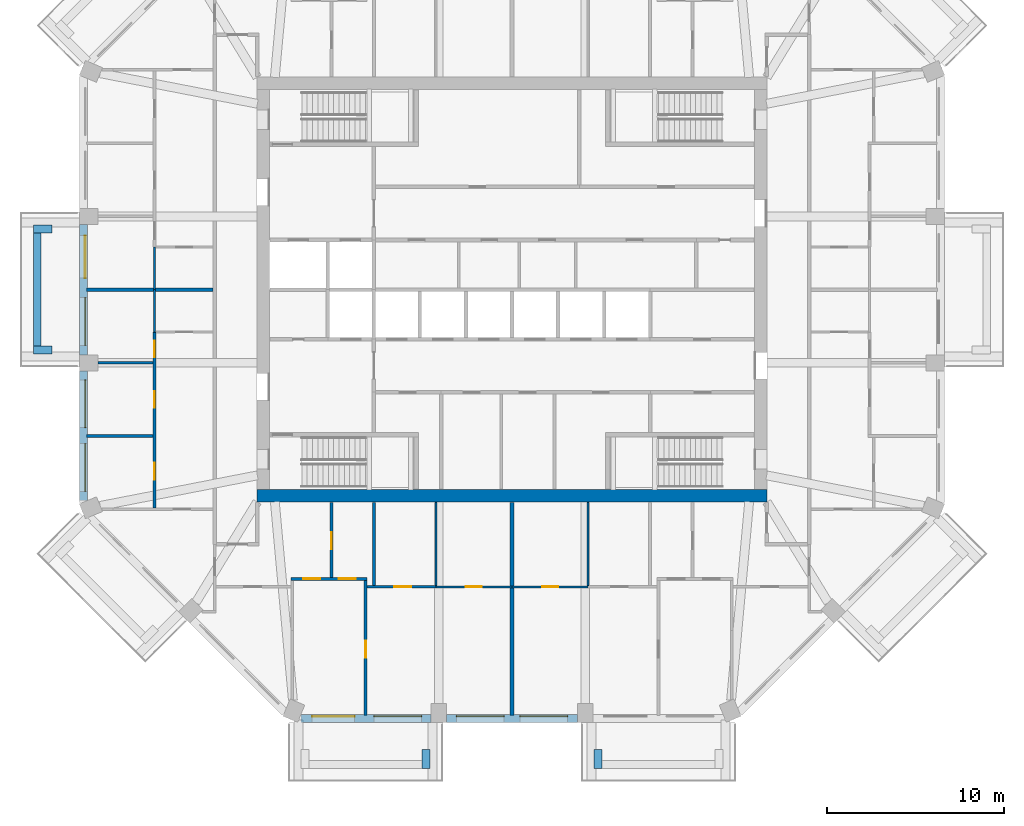
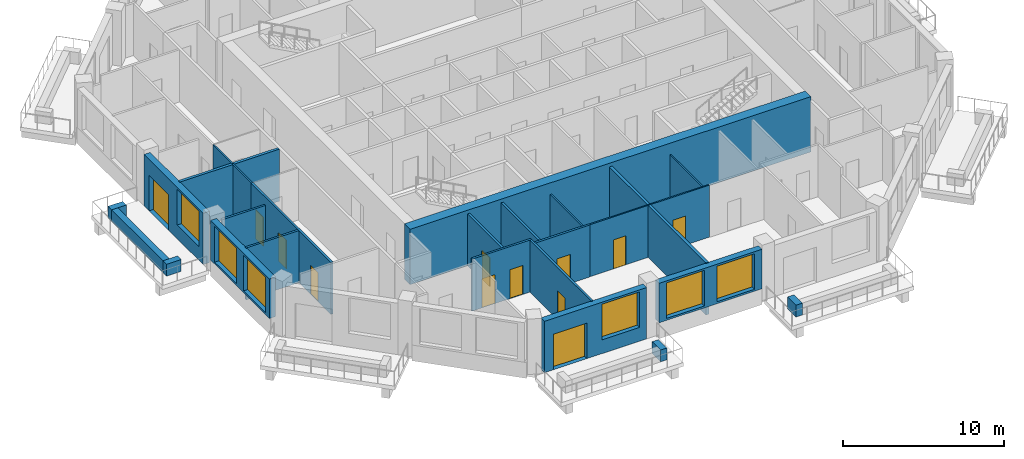
# One storey, part 3 of 12: 26 walls, 12 doors, 6 windows, 18 openings.
"""IFC4 building model written with IfcOpenShell, lengths in metres."""

import ifcopenshell
import ifcopenshell.guid

model = None  # the IFC model being written
_history = None  # IfcOwnerHistory: only IFC2X3 demands one
_inside = {}  # id of a spatial element -> (the spatial element, [elements in it])
_under = {}  # id of a project, library or spatial element -> (it, [spatial elements below it])
_declared = {}  # id of a project -> (the project, [libraries it declares])
_typed = {}  # id of a type object -> (the type object, [elements of that type])
_made_of = {}  # id of a material, layer set ... -> (it, [elements and type objects made of it])


def new_model(schema):
    """Start an empty IFC model of exactly this schema.

    Asked for "IFC4X3", IfcOpenShell would pick the latest addendum, in which some entities
    have other attributes; the version numbers below select the first issue.
    IFC2X3 requires an IfcOwnerHistory on every rooted entity: one is made here for all.
    """
    global model, _history
    if schema == "IFC4X3":
        model = ifcopenshell.file(schema_version=(4, 3, 0, 0))
    else:
        model = ifcopenshell.file(schema=schema)
    _inside.clear()
    _under.clear()
    _declared.clear()
    _typed.clear()
    _made_of.clear()
    _history = None
    if model.schema == "IFC2X3":
        org = make("IfcOrganization", Name="unknown")
        user = make(
            "IfcPersonAndOrganization",
            ThePerson=make("IfcPerson", FamilyName="unknown"),
            TheOrganization=org,
        )
        app = make(
            "IfcApplication",
            ApplicationDeveloper=org,
            Version="unknown",
            ApplicationFullName="unknown",
            ApplicationIdentifier="unknown",
        )
        _history = make(
            "IfcOwnerHistory",
            OwningUser=user,
            OwningApplication=app,
            ChangeAction="ADDED",
            CreationDate=0,
        )
    return model


def make(cls, **values):
    """One entity of the class cls with the attributes given. An attribute that is None is left unset."""
    return model.create_entity(
        cls, **{name: value for name, value in values.items() if value is not None}
    )


def rooted(cls, **values):
    """An entity with a GlobalId (a new one), such as an element, a storey or a relation."""
    return make(cls, GlobalId=ifcopenshell.guid.new(), OwnerHistory=_history, **values)


def si_unit(unit_type, name, prefix=None):
    """IfcSIUnit, for example si_unit("LENGTHUNIT", "METRE", prefix="MILLI")."""
    return make("IfcSIUnit", UnitType=unit_type, Prefix=prefix, Name=name)


def assignment(units):
    """IfcUnitAssignment: the units of a project."""
    return None if units is None else make("IfcUnitAssignment", Units=units)


def point(xyz):
    """IfcCartesianPoint."""
    return None if xyz is None else make("IfcCartesianPoint", Coordinates=xyz)


def direction(xyz):
    """IfcDirection."""
    return None if xyz is None else make("IfcDirection", DirectionRatios=xyz)


def frame(location, z_axis=None, x_axis=None):
    """IfcAxis2Placement3D, a coordinate frame: its origin and axes. An axis left out is left unset."""
    return make(
        "IfcAxis2Placement3D",
        Location=point(location),
        Axis=direction(z_axis),
        RefDirection=direction(x_axis),
    )


def frame_2d(location, x_axis=None):
    """IfcAxis2Placement2D, a coordinate frame in the plane: its origin and x axis."""
    return make(
        "IfcAxis2Placement2D", Location=point(location), RefDirection=direction(x_axis)
    )


def origin():
    """The frame at (0, 0, 0) with its axes left unset."""
    return frame((0.0, 0.0, 0.0))


def place(relative_to, where):
    """IfcLocalPlacement: puts the frame where relative to a parent placement (None: the world)."""
    return make(
        "IfcLocalPlacement", PlacementRelTo=relative_to, RelativePlacement=where
    )


def context(
    kind, dimensions, precision=None, world=None, true_north=None, identifier=None
):
    """IfcGeometricRepresentationContext, for example the 3D "Model" context."""
    return make(
        "IfcGeometricRepresentationContext",
        ContextIdentifier=identifier,
        ContextType=kind,
        CoordinateSpaceDimension=dimensions,
        Precision=precision,
        WorldCoordinateSystem=world,
        TrueNorth=true_north,
    )


def subcontext(parent, identifier, kind, view, scale=None):
    """IfcGeometricRepresentationSubContext, for example "Body" below "Model"."""
    return make(
        "IfcGeometricRepresentationSubContext",
        ContextIdentifier=identifier,
        ContextType=kind,
        ParentContext=parent,
        TargetScale=scale,
        TargetView=view,
    )


def project(units=None, contexts=None):
    """IfcProject with its units and contexts."""
    return rooted(
        "IfcProject",
        Name="project",
        RepresentationContexts=contexts,
        UnitsInContext=assignment(units),
    )


def spatial(cls, under=None, at=None, **own):
    """A site, building, storey or space (cls), placed at a placement, below another one or the project."""
    s = rooted(cls, ObjectPlacement=at, **own)
    if under is not None:
        _under.setdefault(under.id(), (under, []))[1].append(s)
    return s


def profile(cls, at=None, kind="AREA", **sizes):
    """A parametric profile (cls). Its sizes go by their IFC names, for example OverallWidth=200.0."""
    return make(cls, ProfileType=kind, Position=at, **sizes)


def rectangle(**sizes):
    """IfcRectangleProfileDef."""
    return profile("IfcRectangleProfileDef", **sizes)


def extrude(swept, where, along, depth):
    """IfcExtrudedAreaSolid: the profile swept, set in the frame where, extruded along a direction by depth."""
    return make(
        "IfcExtrudedAreaSolid",
        SweptArea=swept,
        Position=where,
        ExtrudedDirection=direction(along),
        Depth=depth,
    )


def shape(context_of_items, identifier, shape_type, items):
    """IfcShapeRepresentation: the items that make up one representation, for example the "Body"."""
    return make(
        "IfcShapeRepresentation",
        ContextOfItems=context_of_items,
        RepresentationIdentifier=identifier,
        RepresentationType=shape_type,
        Items=items,
    )


def material(Name=None, Category=None):
    """IfcMaterial."""
    return make("IfcMaterial", Name=Name, Category=Category)


def layer(
    of_material, thickness, ventilated=None, Name=None, Category=None, Priority=None
):
    """IfcMaterialLayer: one layer of a wall or slab, of a material (None: an air gap)."""
    return make(
        "IfcMaterialLayer",
        Material=of_material,
        LayerThickness=thickness,
        IsVentilated=ventilated,
        Name=Name,
        Category=Category,
        Priority=Priority,
    )


def layer_set(layers, Name=None):
    """IfcMaterialLayerSet."""
    return make("IfcMaterialLayerSet", MaterialLayers=layers, LayerSetName=Name)


def made_of(thing, what):
    """Note that an element or type object is made of a material, layer set ...; save() writes the relation."""
    if what is not None:
        _made_of.setdefault(what.id(), (what, []))[1].append(thing)
    return thing


def type_object(cls, material=None, **own):
    """A type object (cls), such as IfcWallType, which elements share."""
    return made_of(rooted(cls, **own), material)


def element(
    cls,
    number,
    at=None,
    inside=None,
    cuts=None,
    type_object=None,
    material=None,
    context=None,
    identifier="Body",
    shape_type=None,
    held_by="IfcProductDefinitionShape",
    body=None,
    shapes=None,
    **own,
):
    """One element of the class cls, such as IfcWall. Its Tag is "e" and its number.

    at: its placement. inside: the storey or other place that contains it. cuts: it is an
    opening in that element (IfcRelVoidsElement). A single representation is given by context,
    identifier, shape_type and body (its items); several are given by shapes. held_by: the class
    of the entity that holds the representations. save() writes the other relations.
    """
    e = rooted(cls, Tag="e%d" % number, ObjectPlacement=at, **own)
    if body is not None:
        shapes = [shape(context, identifier, shape_type, body)]
    if shapes is not None:
        e.Representation = make(held_by, Representations=shapes)
    if inside is not None:
        _inside.setdefault(inside.id(), (inside, []))[1].append(e)
    if cuts is not None:
        rooted(
            "IfcRelVoidsElement", RelatingBuildingElement=cuts, RelatedOpeningElement=e
        )
    if type_object is not None:
        _typed.setdefault(type_object.id(), (type_object, []))[1].append(e)
    return made_of(e, material)


def fill(opening, filler):
    """IfcRelFillsElement: the door or window that sits in an opening."""
    return rooted(
        "IfcRelFillsElement",
        RelatingOpeningElement=opening,
        RelatedBuildingElement=filler,
    )


def aggregate(whole, parts):
    """IfcRelAggregates: a whole, such as a stair, and the parts it consists of."""
    return rooted("IfcRelAggregates", RelatingObject=whole, RelatedObjects=parts)


def save(model, path):
    """Write the relations noted so far, then the file.

    IfcRelAggregates (storeys below a building ...), IfcRelContainedInSpatialStructure (elements
    in a storey), IfcRelDefinesByType, IfcRelAssociatesMaterial and IfcRelDeclares: one each for
    every whole, place, type object, material and project.
    """
    for whole, parts in _under.values():
        aggregate(whole, parts)
    for where, things in _inside.values():
        rooted(
            "IfcRelContainedInSpatialStructure",
            RelatedElements=things,
            RelatingStructure=where,
        )
    for kind, things in _typed.values():
        rooted("IfcRelDefinesByType", RelatedObjects=things, RelatingType=kind)
    for what, things in _made_of.values():
        rooted("IfcRelAssociatesMaterial", RelatedObjects=things, RelatingMaterial=what)
    for by, libraries in _declared.values():
        rooted("IfcRelDeclares", RelatingContext=by, RelatedDefinitions=libraries)
    model.write(path)


model = new_model("IFC4")

# Units and contexts
model_context = context("Model", 3, precision=1e-05, world=origin(), true_north=direction((0.0, 1.0)))
body_context = subcontext(model_context, "Body", "Model", "MODEL_VIEW")
ifc_project = project(units=[si_unit("LENGTHUNIT", "METRE"), si_unit("AREAUNIT", "SQUARE_METRE"), si_unit("VOLUMEUNIT", "CUBIC_METRE"), si_unit("PLANEANGLEUNIT", "RADIAN"), si_unit("MASSUNIT", "GRAM", prefix="KILO")], contexts=[model_context])

# Site, building, storey
site_placement = place(None, origin())
site = spatial("IfcSite", under=ifc_project, at=site_placement, CompositionType="ELEMENT")
building_placement = place(site_placement, origin())
building = spatial("IfcBuilding", under=site, at=building_placement, Name="Msitu Wima Residences", CompositionType="ELEMENT")
storey_placement = place(building_placement, frame((0.0, 0.0, 183.300048828125)))
storey = spatial("IfcBuildingStorey", under=building, at=storey_placement, Name="L42", CompositionType="ELEMENT", Elevation=183.300048828125)

# Walls
ifc_material_1 = material(Name="Facing brick")
ifc_layer_1 = layer(ifc_material_1, 0.06494140625, Name="Facing brick")
ifc_material_2 = material(Name="Concrete C40/50", Category="concrete")
ifc_layer_2 = layer(ifc_material_2, 0.156005859375, Name="Concrete C40/50")
ifc_material_3 = material(Name="Waterproofing membrane")
ifc_layer_3 = layer(ifc_material_3, 0.00390625, Name="Waterproofing membrane")
ifc_material_4 = material(Name="Planting soil and planting")
ifc_layer_4 = layer(ifc_material_4, 0.22509765625, Name="Planting soil and planting")
ifc_layer_set_1 = layer_set([ifc_layer_1, ifc_layer_2, ifc_layer_3, ifc_layer_4], Name="Concrete C40/50")
wall_type_1 = type_object("IfcWallType", Name="Balcony planter PLANTER PL450", PredefinedType="USERDEFINED", material=ifc_layer_set_1)
wall_1_placement = place(storey_placement, frame((-26.824951171875, 3.187255859375, 0.0), z_axis=(0.0, 0.0, 1.0), x_axis=(0.0, -1.0, 0.0)))
element("IfcWall", 1, at=wall_1_placement, inside=storey, type_object=wall_type_1, Name="Balcony planter W1 L42", ObjectType="PLANTER", PredefinedType="USERDEFINED", context=body_context, shape_type="SweptSolid", body=[
    extrude(rectangle(XDim=6.37451171875, YDim=0.449951171875, at=frame_2d((3.187255859375, 0.0))), origin(), (0.0, 0.0, 1.0), 0.89990234375),
])
for number, where, z_axis, x_axis, name in (
    (2, (-26.0, 3.412353515625, 0.0), (0.0, 0.0, 1.0), (-1.0, 0.0, 0.0), "Balcony planter W1 L42"),
    (3, (-26.0, -3.412353515625, 0.0), (0.0, 0.0, 1.0), (-1.0, 0.0, 0.0), "Balcony planter W1 L42"),
    (4, (-4.8623046875, -26.0, 0.0), (0.0, 0.0, 1.0), (0.0, -1.0, 0.0), "Balcony planter S0 L42"),
    (5, (4.8623046875, -26.0, 0.0), (0.0, 0.0, 1.0), (0.0, -1.0, 0.0), "Balcony planter S2 L42"),
):
    element("IfcWall", number, at=place(storey_placement, frame(where, z_axis=z_axis, x_axis=x_axis)), inside=storey, type_object=wall_type_1, Name=name, ObjectType="PLANTER", PredefinedType="USERDEFINED", context=body_context, shape_type="SweptSolid", body=[
        extrude(rectangle(XDim=1.050048828125, YDim=0.449951171875, at=frame_2d((0.52490234375, 0.0))), origin(), (0.0, 0.0, 1.0), 0.89990234375),
    ])

# Wall, openings, door, window
ifc_material_5 = material(Name="Brick (red buff mix)", Category="masonry")
ifc_layer_5 = layer(ifc_material_5, 0.449951171875)
ifc_layer_set_2 = layer_set([ifc_layer_5], Name="Brick (red buff mix)")
wall_type_2 = type_object("IfcWallType", Name="Brick infill wall BW450", PredefinedType="SOLIDWALL", material=ifc_layer_set_2)
wall_2_placement = place(storey_placement, frame((-24.22509765625, 3.687255859375, 0.0), z_axis=(0.0, 0.0, 1.0), x_axis=(0.0, -1.0, 0.0)))
wall_2 = element("IfcWall", 6, at=wall_2_placement, inside=storey, type_object=wall_type_2, Name="Brick infill wall L42 W1", PredefinedType="SOLIDWALL", context=body_context, shape_type="SweptSolid", body=[
    extrude(rectangle(XDim=7.37451171875, YDim=0.449951171875, at=frame_2d((3.687255859375, 0.0))), origin(), (0.0, 0.0, 1.0), 3.89990234375),
])
opening_1_placement = place(wall_2_placement, frame((0.6435546875, 0.0, 0.0)))
opening_1 = element("IfcOpeningElement", 7, at=opening_1_placement, cuts=wall_2, Name="Opening D40-42.010", PredefinedType="OPENING", context=body_context, shape_type="SweptSolid", body=[
    extrude(rectangle(XDim=2.39990234375, YDim=2.699951171875, at=frame_2d((1.199951171875, 1.35009765625))), frame((0.0, 0.23486328125, 0.0), z_axis=(0.0, -1.0, 0.0), x_axis=(1.0, 0.0, 0.0)), (0.0, 0.0, 1.0), 0.469970703125),
])
opening_2_placement = place(wall_2_placement, frame((4.13720703125, 0.0, 1.050048828125)))
opening_2 = element("IfcOpeningElement", 8, at=opening_2_placement, cuts=wall_2, Name="Opening W40-42.028", PredefinedType="OPENING", context=body_context, shape_type="SweptSolid", body=[
    extrude(rectangle(XDim=2.699951171875, YDim=2.699951171875, at=frame_2d((1.35009765625, 1.35009765625))), frame((0.0, 0.23486328125, 0.0), z_axis=(0.0, -1.0, 0.0), x_axis=(1.0, 0.0, 0.0)), (0.0, 0.0, 1.0), 0.469970703125),
])
ifc_material_6 = material(Name="Anodised aluminium, bronze finish, clear low-emissivity double glazing", Category="aluminium")
door_type_1 = type_object("IfcDoorType", Name="Balcony door D2400x2700", OperationType="SLIDING_TO_LEFT", PredefinedType="DOOR", material=ifc_material_6)
door_1_placement = place(opening_1_placement, origin())
door_1 = element("IfcDoor", 9, at=door_1_placement, inside=storey, type_object=door_type_1, Name="Balcony door L42 W1", OperationType="SINGLE_SWING_LEFT", OverallHeight=2.699951171875, OverallWidth=2.39990234375, PredefinedType="DOOR", context=body_context, shape_type="SweptSolid", body=[
    extrude(rectangle(XDim=2.39990234375, YDim=2.699951171875, at=frame_2d((1.199951171875, 1.35009765625))), frame((0.0, 0.1298828125, 0.0), z_axis=(0.0, -1.0, 0.0), x_axis=(1.0, 0.0, 0.0)), (0.0, 0.0, 1.0), 0.050048828125),
])
fill(opening_1, door_1)
window_type = type_object("IfcWindowType", Name="Window W2700x2700", PartitioningType="DOUBLE_PANEL_VERTICAL", PredefinedType="WINDOW", material=ifc_material_6)
window_1_placement = place(opening_2_placement, origin())
window_1 = element("IfcWindow", 10, at=window_1_placement, inside=storey, type_object=window_type, Name="Window L42 W1.2", OverallHeight=2.699951171875, OverallWidth=2.699951171875, PartitioningType="SINGLE_PANEL", PredefinedType="WINDOW", context=body_context, shape_type="SweptSolid", body=[
    extrude(rectangle(XDim=2.699951171875, YDim=2.699951171875, at=frame_2d((1.35009765625, 1.35009765625))), frame((0.0, 0.135009765625, 0.0), z_axis=(0.0, -1.0, 0.0), x_axis=(1.0, 0.0, 0.0)), (0.0, 0.0, 1.0), 0.06005859375),
])
fill(opening_2, window_1)

# Wall, openings, windows
wall_3_placement = place(storey_placement, frame((-24.22509765625, -4.587158203125, 0.89990234375), z_axis=(0.0, 0.0, 1.0), x_axis=(0.0, -1.0, 0.0)))
wall_3 = element("IfcWall", 11, at=wall_3_placement, inside=storey, type_object=wall_type_2, Name="Brick infill wall L42 W2", PredefinedType="SOLIDWALL", context=body_context, shape_type="SweptSolid", body=[
    extrude(rectangle(XDim=7.337646484375, YDim=0.449951171875, at=frame_2d((3.6689453125, 0.0))), origin(), (0.0, 0.0, 1.0), 3.0),
])
opening_3_placement = place(wall_3_placement, frame((0.518798828125, 0.0, 0.14990234375)))
opening_3 = element("IfcOpeningElement", 12, at=opening_3_placement, cuts=wall_3, Name="Opening W40-42.029", PredefinedType="OPENING", context=body_context, shape_type="SweptSolid", body=[
    extrude(rectangle(XDim=2.699951171875, YDim=2.699951171875, at=frame_2d((1.35009765625, 1.35009765625))), frame((0.0, 0.23486328125, 0.0), z_axis=(0.0, -1.0, 0.0), x_axis=(1.0, 0.0, 0.0)), (0.0, 0.0, 1.0), 0.469970703125),
])
opening_4_placement = place(wall_3_placement, frame((4.11865234375, 0.0, 0.14990234375)))
opening_4 = element("IfcOpeningElement", 13, at=opening_4_placement, cuts=wall_3, Name="Opening W40-42.030", PredefinedType="OPENING", context=body_context, shape_type="SweptSolid", body=[
    extrude(rectangle(XDim=2.699951171875, YDim=2.699951171875, at=frame_2d((1.35009765625, 1.35009765625))), frame((0.0, 0.23486328125, 0.0), z_axis=(0.0, -1.0, 0.0), x_axis=(1.0, 0.0, 0.0)), (0.0, 0.0, 1.0), 0.469970703125),
])
window_2_placement = place(opening_3_placement, origin())
window_2 = element("IfcWindow", 14, at=window_2_placement, inside=storey, type_object=window_type, Name="Window L42 W2.1", OverallHeight=2.699951171875, OverallWidth=2.699951171875, PartitioningType="SINGLE_PANEL", PredefinedType="WINDOW", context=body_context, shape_type="SweptSolid", body=[
    extrude(rectangle(XDim=2.699951171875, YDim=2.699951171875, at=frame_2d((1.35009765625, 1.35009765625))), frame((0.0, 0.135009765625, 0.0), z_axis=(0.0, -1.0, 0.0), x_axis=(1.0, 0.0, 0.0)), (0.0, 0.0, 1.0), 0.06005859375),
])
fill(opening_3, window_2)
window_3_placement = place(opening_4_placement, origin())
window_3 = element("IfcWindow", 15, at=window_3_placement, inside=storey, type_object=window_type, Name="Window L42 W2.2", OverallHeight=2.699951171875, OverallWidth=2.699951171875, PartitioningType="SINGLE_PANEL", PredefinedType="WINDOW", context=body_context, shape_type="SweptSolid", body=[
    extrude(rectangle(XDim=2.699951171875, YDim=2.699951171875, at=frame_2d((1.35009765625, 1.35009765625))), frame((0.0, 0.135009765625, 0.0), z_axis=(0.0, -1.0, 0.0), x_axis=(1.0, 0.0, 0.0)), (0.0, 0.0, 1.0), 0.06005859375),
])
fill(opening_4, window_3)

# Wall, openings, door, window
wall_4_placement = place(storey_placement, frame((-11.9248046875, -24.22509765625, 0.0), z_axis=(0.0, 0.0, 1.0), x_axis=(1.0, 0.0, 0.0)))
wall_4 = element("IfcWall", 16, at=wall_4_placement, inside=storey, type_object=wall_type_2, Name="Brick infill wall L42 S0", PredefinedType="SOLIDWALL", context=body_context, shape_type="SweptSolid", body=[
    extrude(rectangle(XDim=7.337646484375, YDim=0.449951171875, at=frame_2d((3.6689453125, 0.0))), origin(), (0.0, 0.0, 1.0), 3.89990234375),
])
opening_5_placement = place(wall_4_placement, frame((0.63427734375, 0.0, 0.0)))
opening_5 = element("IfcOpeningElement", 17, at=opening_5_placement, cuts=wall_4, Name="Opening D40-42.006", PredefinedType="OPENING", context=body_context, shape_type="SweptSolid", body=[
    extrude(rectangle(XDim=2.39990234375, YDim=2.699951171875, at=frame_2d((1.199951171875, 1.35009765625))), frame((0.0, 0.23486328125, 0.0), z_axis=(0.0, -1.0, 0.0), x_axis=(1.0, 0.0, 0.0)), (0.0, 0.0, 1.0), 0.469970703125),
])
opening_6_placement = place(wall_4_placement, frame((4.11865234375, 0.0, 1.050048828125)))
opening_6 = element("IfcOpeningElement", 18, at=opening_6_placement, cuts=wall_4, Name="Opening W40-42.016", PredefinedType="OPENING", context=body_context, shape_type="SweptSolid", body=[
    extrude(rectangle(XDim=2.699951171875, YDim=2.699951171875, at=frame_2d((1.35009765625, 1.35009765625))), frame((0.0, 0.23486328125, 0.0), z_axis=(0.0, -1.0, 0.0), x_axis=(1.0, 0.0, 0.0)), (0.0, 0.0, 1.0), 0.469970703125),
])
door_2_placement = place(opening_5_placement, origin())
door_2 = element("IfcDoor", 19, at=door_2_placement, inside=storey, type_object=door_type_1, Name="Balcony door L42 S0", OperationType="SINGLE_SWING_LEFT", OverallHeight=2.699951171875, OverallWidth=2.39990234375, PredefinedType="DOOR", context=body_context, shape_type="SweptSolid", body=[
    extrude(rectangle(XDim=2.39990234375, YDim=2.699951171875, at=frame_2d((1.199951171875, 1.35009765625))), frame((0.0, 0.1298828125, 0.0), z_axis=(0.0, -1.0, 0.0), x_axis=(1.0, 0.0, 0.0)), (0.0, 0.0, 1.0), 0.050048828125),
])
fill(opening_5, door_2)
window_4_placement = place(opening_6_placement, origin())
window_4 = element("IfcWindow", 20, at=window_4_placement, inside=storey, type_object=window_type, Name="Window L42 S0.2", OverallHeight=2.699951171875, OverallWidth=2.699951171875, PartitioningType="SINGLE_PANEL", PredefinedType="WINDOW", context=body_context, shape_type="SweptSolid", body=[
    extrude(rectangle(XDim=2.699951171875, YDim=2.699951171875, at=frame_2d((1.35009765625, 1.35009765625))), frame((0.0, 0.135009765625, 0.0), z_axis=(0.0, -1.0, 0.0), x_axis=(1.0, 0.0, 0.0)), (0.0, 0.0, 1.0), 0.06005859375),
])
fill(opening_6, window_4)

# Wall, openings, windows
wall_5_placement = place(storey_placement, frame((-3.687255859375, -24.22509765625, 0.89990234375), z_axis=(0.0, 0.0, 1.0), x_axis=(1.0, 0.0, 0.0)))
wall_5 = element("IfcWall", 21, at=wall_5_placement, inside=storey, type_object=wall_type_2, Name="Brick infill wall L42 S1", PredefinedType="SOLIDWALL", context=body_context, shape_type="SweptSolid", body=[
    extrude(rectangle(XDim=7.37451171875, YDim=0.449951171875, at=frame_2d((3.687255859375, 0.0))), origin(), (0.0, 0.0, 1.0), 3.0),
])
opening_7_placement = place(wall_5_placement, frame((0.537353515625, 0.0, 0.14990234375)))
opening_7 = element("IfcOpeningElement", 22, at=opening_7_placement, cuts=wall_5, Name="Opening W40-42.017", PredefinedType="OPENING", context=body_context, shape_type="SweptSolid", body=[
    extrude(rectangle(XDim=2.699951171875, YDim=2.699951171875, at=frame_2d((1.35009765625, 1.35009765625))), frame((0.0, 0.23486328125, 0.0), z_axis=(0.0, -1.0, 0.0), x_axis=(1.0, 0.0, 0.0)), (0.0, 0.0, 1.0), 0.469970703125),
])
opening_8_placement = place(wall_5_placement, frame((4.13720703125, 0.0, 0.14990234375)))
opening_8 = element("IfcOpeningElement", 23, at=opening_8_placement, cuts=wall_5, Name="Opening W40-42.018", PredefinedType="OPENING", context=body_context, shape_type="SweptSolid", body=[
    extrude(rectangle(XDim=2.699951171875, YDim=2.699951171875, at=frame_2d((1.35009765625, 1.35009765625))), frame((0.0, 0.23486328125, 0.0), z_axis=(0.0, -1.0, 0.0), x_axis=(1.0, 0.0, 0.0)), (0.0, 0.0, 1.0), 0.469970703125),
])
window_5_placement = place(opening_7_placement, origin())
window_5 = element("IfcWindow", 24, at=window_5_placement, inside=storey, type_object=window_type, Name="Window L42 S1.1", OverallHeight=2.699951171875, OverallWidth=2.699951171875, PartitioningType="SINGLE_PANEL", PredefinedType="WINDOW", context=body_context, shape_type="SweptSolid", body=[
    extrude(rectangle(XDim=2.699951171875, YDim=2.699951171875, at=frame_2d((1.35009765625, 1.35009765625))), frame((0.0, 0.135009765625, 0.0), z_axis=(0.0, -1.0, 0.0), x_axis=(1.0, 0.0, 0.0)), (0.0, 0.0, 1.0), 0.06005859375),
])
fill(opening_7, window_5)
window_6_placement = place(opening_8_placement, origin())
window_6 = element("IfcWindow", 25, at=window_6_placement, inside=storey, type_object=window_type, Name="Window L42 S1.2", OverallHeight=2.699951171875, OverallWidth=2.699951171875, PartitioningType="SINGLE_PANEL", PredefinedType="WINDOW", context=body_context, shape_type="SweptSolid", body=[
    extrude(rectangle(XDim=2.699951171875, YDim=2.699951171875, at=frame_2d((1.35009765625, 1.35009765625))), frame((0.0, 0.135009765625, 0.0), z_axis=(0.0, -1.0, 0.0), x_axis=(1.0, 0.0, 0.0)), (0.0, 0.0, 1.0), 0.06005859375),
])
fill(opening_8, window_6)

# Walls
ifc_material_7 = material(Name="Concrete C60/75", Category="concrete")
ifc_layer_6 = layer(ifc_material_7, 0.699951171875)
ifc_layer_set_3 = layer_set([ifc_layer_6], Name="Concrete C60/75")
wall_type_3 = type_object("IfcWallType", Name="Core wall CW700 C60/75", PredefinedType="SHEAR", material=ifc_layer_set_3)
wall_6_placement = place(storey_placement, frame((-14.39990234375, -11.64990234375, 0.0), z_axis=(0.0, 0.0, 1.0), x_axis=(1.0, 0.0, 0.0)))
element("IfcWall", 26, at=wall_6_placement, inside=storey, type_object=wall_type_3, Name="Core wall", PredefinedType="SHEAR", context=body_context, shape_type="SweptSolid", body=[
    extrude(rectangle(XDim=28.7998046875, YDim=0.699951171875, at=frame_2d((14.39990234375, 0.0))), origin(), (0.0, 0.0, 1.0), 4.199951171875),
])
ifc_material_8 = material(Name="Plaster")
ifc_layer_7 = layer(ifc_material_8, 0.011962890625, Name="Plaster")
ifc_material_9 = material(Name="Concrete blockwork", Category="masonry")
ifc_layer_8 = layer(ifc_material_9, 0.1259765625, Name="Concrete blockwork")
ifc_layer_9 = layer(ifc_material_8, 0.011962890625, Name="Plaster")
ifc_layer_set_4 = layer_set([ifc_layer_7, ifc_layer_8, ifc_layer_9], Name="Concrete blockwork")
wall_type_4 = type_object("IfcWallType", Name="Partition PW150", PredefinedType="PARTITIONING", material=ifc_layer_set_4)
wall_7_placement = place(storey_placement, frame((-24.054931640625, -8.2744140625, 0.0), z_axis=(0.0, 0.0, 1.0), x_axis=(1.0, 0.0, 0.0)))
element("IfcWall", 27, at=wall_7_placement, inside=storey, type_object=wall_type_4, Name="Partition", PredefinedType="PARTITIONING", context=body_context, shape_type="SweptSolid", body=[
    extrude(rectangle(XDim=3.780029296875, YDim=0.14990234375, at=frame_2d((1.89013671875, 0.0))), origin(), (0.0, 0.0, 1.0), 3.949951171875),
])
wall_8_placement = place(storey_placement, frame((-23.39990234375, -4.13720703125, 0.0), z_axis=(0.0, 0.0, 1.0), x_axis=(1.0, 0.0, 0.0)))
element("IfcWall", 28, at=wall_8_placement, inside=storey, type_object=wall_type_4, Name="Partition", PredefinedType="PARTITIONING", context=body_context, shape_type="SweptSolid", body=[
    extrude(rectangle(XDim=3.125, YDim=0.14990234375, at=frame_2d((1.5625, 0.0))), origin(), (0.0, 0.0, 1.0), 3.349853515625),
])

# Wall, openings, doors
wall_9_placement = place(storey_placement, frame((-20.199951171875, -12.336669921875, 0.0), z_axis=(0.0, 0.0, 1.0), x_axis=(0.0, 1.0, 0.0)))
wall_9 = element("IfcWall", 29, at=wall_9_placement, inside=storey, type_object=wall_type_4, Name="Partition", PredefinedType="PARTITIONING", context=body_context, shape_type="SweptSolid", body=[
    extrude(rectangle(XDim=9.936767578125, YDim=0.14990234375, at=frame_2d((4.96826171875, 0.0))), origin(), (0.0, 0.0, 1.0), 3.949951171875),
])
opening_9_placement = place(wall_9_placement, frame((8.5, 0.0, 0.0)))
opening_9 = element("IfcOpeningElement", 30, at=opening_9_placement, cuts=wall_9, Name="Opening D40-42.050", PredefinedType="OPENING", context=body_context, shape_type="SweptSolid", body=[
    extrude(rectangle(XDim=0.949951171875, YDim=2.199951171875, at=frame_2d((0.47509765625, 1.10009765625))), frame((0.0, 0.0849609375, 0.0), z_axis=(0.0, -1.0, 0.0), x_axis=(1.0, 0.0, 0.0)), (0.0, 0.0, 1.0), 0.169921875),
])
opening_10_placement = place(wall_9_placement, frame((5.64990234375, 0.0, 0.0)))
opening_10 = element("IfcOpeningElement", 31, at=opening_10_placement, cuts=wall_9, Name="Opening D40-42.051", PredefinedType="OPENING", context=body_context, shape_type="SweptSolid", body=[
    extrude(rectangle(XDim=0.949951171875, YDim=2.199951171875, at=frame_2d((0.47509765625, 1.10009765625))), frame((0.0, 0.0849609375, 0.0), z_axis=(0.0, -1.0, 0.0), x_axis=(1.0, 0.0, 0.0)), (0.0, 0.0, 1.0), 0.169921875),
])
opening_11_placement = place(wall_9_placement, frame((1.60009765625, 0.0, 0.0)))
opening_11 = element("IfcOpeningElement", 32, at=opening_11_placement, cuts=wall_9, Name="Opening D40-42.052", PredefinedType="OPENING", context=body_context, shape_type="SweptSolid", body=[
    extrude(rectangle(XDim=0.949951171875, YDim=2.199951171875, at=frame_2d((0.47509765625, 1.10009765625))), frame((0.0, 0.0849609375, 0.0), z_axis=(0.0, -1.0, 0.0), x_axis=(1.0, 0.0, 0.0)), (0.0, 0.0, 1.0), 0.169921875),
])
ifc_material_10 = material(Name="Timber flush door", Category="wood")
door_type_2 = type_object("IfcDoorType", Name="Room door D12 950x2200", OperationType="SINGLE_SWING_LEFT", PredefinedType="DOOR", material=ifc_material_10)
door_3_placement = place(opening_9_placement, origin())
door_3 = element("IfcDoor", 33, at=door_3_placement, inside=storey, type_object=door_type_2, Name="Room door", OperationType="SINGLE_SWING_LEFT", OverallHeight=2.199951171875, OverallWidth=0.949951171875, PredefinedType="DOOR", context=body_context, shape_type="SweptSolid", body=[
    extrude(rectangle(XDim=0.949951171875, YDim=2.199951171875, at=frame_2d((0.47509765625, 1.10009765625))), frame((0.0, 0.02490234375, 0.0), z_axis=(0.0, -1.0, 0.0), x_axis=(1.0, 0.0, 0.0)), (0.0, 0.0, 1.0), 0.050048828125),
])
fill(opening_9, door_3)
door_4_placement = place(opening_10_placement, origin())
door_4 = element("IfcDoor", 34, at=door_4_placement, inside=storey, type_object=door_type_2, Name="Room door", OperationType="SINGLE_SWING_LEFT", OverallHeight=2.199951171875, OverallWidth=0.949951171875, PredefinedType="DOOR", context=body_context, shape_type="SweptSolid", body=[
    extrude(rectangle(XDim=0.949951171875, YDim=2.199951171875, at=frame_2d((0.47509765625, 1.10009765625))), frame((0.0, 0.02490234375, 0.0), z_axis=(0.0, -1.0, 0.0), x_axis=(1.0, 0.0, 0.0)), (0.0, 0.0, 1.0), 0.050048828125),
])
fill(opening_10, door_4)
door_5_placement = place(opening_11_placement, origin())
door_5 = element("IfcDoor", 35, at=door_5_placement, inside=storey, type_object=door_type_2, Name="Room door", OperationType="SINGLE_SWING_RIGHT", OverallHeight=2.199951171875, OverallWidth=0.949951171875, PredefinedType="DOOR", context=body_context, shape_type="SweptSolid", body=[
    extrude(rectangle(XDim=0.949951171875, YDim=2.199951171875, at=frame_2d((0.47509765625, 1.10009765625))), frame((0.0, 0.02490234375, 0.0), z_axis=(0.0, -1.0, 0.0), x_axis=(1.0, 0.0, 0.0)), (0.0, 0.0, 1.0), 0.050048828125),
])
fill(opening_11, door_5)

wall_10_placement = place(storey_placement, frame((-12.48681640625, -16.35009765625, 0.0), z_axis=(0.0, 0.0, 1.0), x_axis=(1.0, 0.0, 0.0)))
wall_10 = element("IfcWall", 36, at=wall_10_placement, inside=storey, type_object=wall_type_4, Name="Partition", PredefinedType="PARTITIONING", context=body_context, shape_type="SweptSolid", body=[
    extrude(rectangle(XDim=4.287353515625, YDim=0.14990234375, at=frame_2d((2.1435546875, 0.0))), origin(), (0.0, 0.0, 1.0), 3.949951171875),
])
opening_12_placement = place(wall_10_placement, frame((0.699951171875, 0.0, 0.0)))
opening_12 = element("IfcOpeningElement", 37, at=opening_12_placement, cuts=wall_10, Name="Opening D40-42.045", PredefinedType="OPENING", context=body_context, shape_type="SweptSolid", body=[
    extrude(rectangle(XDim=0.949951171875, YDim=2.199951171875, at=frame_2d((0.47509765625, 1.10009765625))), frame((0.0, 0.0849609375, 0.0), z_axis=(0.0, -1.0, 0.0), x_axis=(1.0, 0.0, 0.0)), (0.0, 0.0, 1.0), 0.169921875),
])
opening_13_placement = place(wall_10_placement, frame((2.699951171875, 0.0, 0.0)))
opening_13 = element("IfcOpeningElement", 38, at=opening_13_placement, cuts=wall_10, Name="Opening D40-42.044", PredefinedType="OPENING", context=body_context, shape_type="SweptSolid", body=[
    extrude(rectangle(XDim=0.949951171875, YDim=2.199951171875, at=frame_2d((0.47509765625, 1.10009765625))), frame((0.0, 0.0849609375, 0.0), z_axis=(0.0, -1.0, 0.0), x_axis=(1.0, 0.0, 0.0)), (0.0, 0.0, 1.0), 0.169921875),
])
door_6_placement = place(opening_12_placement, origin())
door_6 = element("IfcDoor", 39, at=door_6_placement, inside=storey, type_object=door_type_2, Name="Room door", OperationType="SINGLE_SWING_RIGHT", OverallHeight=2.199951171875, OverallWidth=0.949951171875, PredefinedType="DOOR", context=body_context, shape_type="SweptSolid", body=[
    extrude(rectangle(XDim=0.949951171875, YDim=2.199951171875, at=frame_2d((0.47509765625, 1.10009765625))), frame((0.0, 0.02490234375, 0.0), z_axis=(0.0, -1.0, 0.0), x_axis=(1.0, 0.0, 0.0)), (0.0, 0.0, 1.0), 0.050048828125),
])
fill(opening_12, door_6)
door_7_placement = place(opening_13_placement, origin())
door_7 = element("IfcDoor", 40, at=door_7_placement, inside=storey, type_object=door_type_2, Name="Room door", OperationType="SINGLE_SWING_LEFT", OverallHeight=2.199951171875, OverallWidth=0.949951171875, PredefinedType="DOOR", context=body_context, shape_type="SweptSolid", body=[
    extrude(rectangle(XDim=0.949951171875, YDim=2.199951171875, at=frame_2d((0.47509765625, 1.10009765625))), frame((0.0, 0.02490234375, 0.0), z_axis=(0.0, -1.0, 0.0), x_axis=(1.0, 0.0, 0.0)), (0.0, 0.0, 1.0), 0.050048828125),
])
fill(opening_13, door_7)

# Wall, opening, door
wall_11_placement = place(storey_placement, frame((-10.199951171875, -16.27490234375, 0.0), z_axis=(0.0, 0.0, 1.0), x_axis=(0.0, 1.0, 0.0)))
wall_11 = element("IfcWall", 41, at=wall_11_placement, inside=storey, type_object=wall_type_4, Name="Partition", PredefinedType="PARTITIONING", context=body_context, shape_type="SweptSolid", body=[
    extrude(rectangle(XDim=4.244873046875, YDim=0.14990234375, at=frame_2d((2.12255859375, 0.0))), origin(), (0.0, 0.0, 1.0), 3.949951171875),
])
opening_14_placement = place(wall_11_placement, frame((1.60009765625, 0.0, 0.0)))
opening_14 = element("IfcOpeningElement", 42, at=opening_14_placement, cuts=wall_11, Name="Opening D40-42.040", PredefinedType="OPENING", context=body_context, shape_type="SweptSolid", body=[
    extrude(rectangle(XDim=0.949951171875, YDim=2.199951171875, at=frame_2d((0.47509765625, 1.10009765625))), frame((0.0, 0.0849609375, 0.0), z_axis=(0.0, -1.0, 0.0), x_axis=(1.0, 0.0, 0.0)), (0.0, 0.0, 1.0), 0.169921875),
])
door_8_placement = place(opening_14_placement, origin())
door_8 = element("IfcDoor", 43, at=door_8_placement, inside=storey, type_object=door_type_2, Name="Room door", OperationType="SINGLE_SWING_RIGHT", OverallHeight=2.199951171875, OverallWidth=0.949951171875, PredefinedType="DOOR", context=body_context, shape_type="SweptSolid", body=[
    extrude(rectangle(XDim=0.949951171875, YDim=2.199951171875, at=frame_2d((0.47509765625, 1.10009765625))), frame((0.0, 0.02490234375, 0.0), z_axis=(0.0, -1.0, 0.0), x_axis=(1.0, 0.0, 0.0)), (0.0, 0.0, 1.0), 0.050048828125),
])
fill(opening_14, door_8)

wall_12_placement = place(storey_placement, frame((-8.2744140625, -24.054931640625, 0.0), z_axis=(0.0, 0.0, 1.0), x_axis=(0.0, 1.0, 0.0)))
wall_12 = element("IfcWall", 44, at=wall_12_placement, inside=storey, type_object=wall_type_4, Name="Partition", PredefinedType="PARTITIONING", context=body_context, shape_type="SweptSolid", body=[
    extrude(rectangle(XDim=7.6298828125, YDim=0.14990234375, at=frame_2d((3.81494140625, 0.0))), origin(), (0.0, 0.0, 1.0), 3.949951171875),
])
opening_15_placement = place(wall_12_placement, frame((3.25, 0.0, 0.0)))
opening_15 = element("IfcOpeningElement", 45, at=opening_15_placement, cuts=wall_12, Name="Opening D40-42.048", PredefinedType="OPENING", context=body_context, shape_type="SweptSolid", body=[
    extrude(rectangle(XDim=0.949951171875, YDim=2.199951171875, at=frame_2d((0.47509765625, 1.10009765625))), frame((0.0, 0.0849609375, 0.0), z_axis=(0.0, -1.0, 0.0), x_axis=(1.0, 0.0, 0.0)), (0.0, 0.0, 1.0), 0.169921875),
])
door_9_placement = place(opening_15_placement, origin())
door_9 = element("IfcDoor", 46, at=door_9_placement, inside=storey, type_object=door_type_2, Name="Room door", OperationType="SINGLE_SWING_LEFT", OverallHeight=2.199951171875, OverallWidth=0.949951171875, PredefinedType="DOOR", context=body_context, shape_type="SweptSolid", body=[
    extrude(rectangle(XDim=0.949951171875, YDim=2.199951171875, at=frame_2d((0.47509765625, 1.10009765625))), frame((0.0, 0.02490234375, 0.0), z_axis=(0.0, -1.0, 0.0), x_axis=(1.0, 0.0, 0.0)), (0.0, 0.0, 1.0), 0.050048828125),
])
fill(opening_15, door_9)

wall_13_placement = place(storey_placement, frame((-8.199462890625, -16.800048828125, 0.0), z_axis=(0.0, 0.0, 1.0), x_axis=(1.0, 0.0, 0.0)))
wall_13 = element("IfcWall", 47, at=wall_13_placement, inside=storey, type_object=wall_type_4, Name="Partition", PredefinedType="PARTITIONING", context=body_context, shape_type="SweptSolid", body=[
    extrude(rectangle(XDim=3.8994140625, YDim=0.14990234375, at=frame_2d((1.94970703125, 0.0))), origin(), (0.0, 0.0, 1.0), 3.949951171875),
])
opening_16_placement = place(wall_13_placement, frame((1.550048828125, 0.0, 0.0)))
opening_16 = element("IfcOpeningElement", 48, at=opening_16_placement, cuts=wall_13, Name="Opening D40-42.042", PredefinedType="OPENING", context=body_context, shape_type="SweptSolid", body=[
    extrude(rectangle(XDim=0.949951171875, YDim=2.199951171875, at=frame_2d((0.47509765625, 1.10009765625))), frame((0.0, 0.0849609375, 0.0), z_axis=(0.0, -1.0, 0.0), x_axis=(1.0, 0.0, 0.0)), (0.0, 0.0, 1.0), 0.169921875),
])
door_10_placement = place(opening_16_placement, origin())
door_10 = element("IfcDoor", 49, at=door_10_placement, inside=storey, type_object=door_type_2, Name="Room door", OperationType="SINGLE_SWING_RIGHT", OverallHeight=2.199951171875, OverallWidth=0.949951171875, PredefinedType="DOOR", context=body_context, shape_type="SweptSolid", body=[
    extrude(rectangle(XDim=0.949951171875, YDim=2.199951171875, at=frame_2d((0.47509765625, 1.10009765625))), frame((0.0, 0.02490234375, 0.0), z_axis=(0.0, -1.0, 0.0), x_axis=(1.0, 0.0, 0.0)), (0.0, 0.0, 1.0), 0.050048828125),
])
fill(opening_16, door_10)

# Walls
wall_14_placement = place(storey_placement, frame((-7.800048828125, -16.72509765625, 0.0), z_axis=(0.0, 0.0, 1.0), x_axis=(0.0, 1.0, 0.0)))
element("IfcWall", 50, at=wall_14_placement, inside=storey, type_object=wall_type_4, Name="Partition", PredefinedType="PARTITIONING", context=body_context, shape_type="SweptSolid", body=[
    extrude(rectangle(XDim=4.695068359375, YDim=0.14990234375, at=frame_2d((2.34765625, 0.0))), origin(), (0.0, 0.0, 1.0), 3.949951171875),
])
ifc_layer_10 = layer(ifc_material_8, 0.011962890625, Name="Plaster")
ifc_material_11 = material(Name="Dense concrete blockwork", Category="masonry")
ifc_layer_11 = layer(ifc_material_11, 0.176025390625, Name="Dense concrete blockwork")
ifc_layer_12 = layer(ifc_material_8, 0.011962890625, Name="Plaster")
ifc_layer_set_5 = layer_set([ifc_layer_10, ifc_layer_11, ifc_layer_12], Name="Dense concrete blockwork")
wall_type_5 = type_object("IfcWallType", Name="Party wall PW200", PredefinedType="PARTITIONING", material=ifc_layer_set_5)
wall_15_placement = place(storey_placement, frame((-24.054931640625, 0.0, 0.0), z_axis=(0.0, 0.0, 1.0), x_axis=(1.0, 0.0, 0.0)))
element("IfcWall", 51, at=wall_15_placement, inside=storey, type_object=wall_type_5, Name="Party wall", PredefinedType="PARTITIONING", context=body_context, shape_type="SweptSolid", body=[
    extrude(rectangle(XDim=7.155029296875, YDim=0.199951171875, at=frame_2d((3.57763671875, 0.0))), origin(), (0.0, 0.0, 1.0), 3.949951171875),
])
wall_16_placement = place(storey_placement, frame((0.0, -24.054931640625, 0.0), z_axis=(0.0, 0.0, 1.0), x_axis=(0.0, 1.0, 0.0)))
element("IfcWall", 52, at=wall_16_placement, inside=storey, type_object=wall_type_5, Name="Party wall", PredefinedType="PARTITIONING", context=body_context, shape_type="SweptSolid", body=[
    extrude(rectangle(XDim=12.02490234375, YDim=0.199951171875, at=frame_2d((6.012451171875, 0.0))), origin(), (0.0, 0.0, 1.0), 3.949951171875),
])
ifc_material_12 = material(Name="Ceramic tiles")
ifc_layer_13 = layer(ifc_material_12, 0.008056640625, Name="Ceramic tiles")
ifc_material_13 = material(Name="Moisture-resistant board")
ifc_layer_14 = layer(ifc_material_13, 0.012451171875, Name="Moisture-resistant board")
ifc_material_14 = material(Name="Light-gauge stud framing with mineral wool")
ifc_layer_15 = layer(ifc_material_14, 0.06689453125, Name="Light-gauge stud framing with mineral wool")
ifc_layer_16 = layer(ifc_material_13, 0.012451171875, Name="Moisture-resistant board")
ifc_layer_set_6 = layer_set([ifc_layer_13, ifc_layer_14, ifc_layer_15, ifc_layer_16], Name="Light-gauge stud framing with mineral wool")
wall_type_6 = type_object("IfcWallType", Name="Wet wall PW100", PredefinedType="PARTITIONING", material=ifc_layer_set_6)
for number, where, z_axis, x_axis, name in (
    (53, (-20.199951171875, -2.39990234375, 0.0), (0.0, 0.0, 1.0), (0.0, 1.0, 0.0), "Wet wall"),
    (54, (-20.199951171875, 0.0, 0.0), (0.0, 0.0, 1.0), (0.0, 1.0, 0.0), "Wet wall"),
):
    element("IfcWall", number, at=place(storey_placement, frame(where, z_axis=z_axis, x_axis=x_axis)), inside=storey, type_object=wall_type_6, Name=name, PredefinedType="PARTITIONING", context=body_context, shape_type="SweptSolid", body=[
        extrude(rectangle(XDim=2.39990234375, YDim=0.10009765625, at=frame_2d((1.199951171875, 0.0))), origin(), (0.0, 0.0, 1.0), 3.949951171875),
    ])
wall_17_placement = place(storey_placement, frame((-4.300048828125, -16.72509765625, 0.0), z_axis=(0.0, 0.0, 1.0), x_axis=(0.0, 1.0, 0.0)))
element("IfcWall", 55, at=wall_17_placement, inside=storey, type_object=wall_type_6, Name="Wet wall", PredefinedType="PARTITIONING", context=body_context, shape_type="SweptSolid", body=[
    extrude(rectangle(XDim=4.695068359375, YDim=0.10009765625, at=frame_2d((2.34765625, 0.0))), origin(), (0.0, 0.0, 1.0), 3.349853515625),
])

# Wall, opening, door
wall_18_placement = place(storey_placement, frame((-4.300048828125, -16.800048828125, 0.0), z_axis=(0.0, 0.0, 1.0), x_axis=(1.0, 0.0, 0.0)))
wall_18 = element("IfcWall", 56, at=wall_18_placement, inside=storey, type_object=wall_type_6, Name="Wet wall", PredefinedType="PARTITIONING", context=body_context, shape_type="SweptSolid", body=[
    extrude(rectangle(XDim=4.300048828125, YDim=0.10009765625, at=frame_2d((2.14990234375, 0.0))), origin(), (0.0, 0.0, 1.0), 3.949951171875),
])
opening_17_placement = place(wall_18_placement, frame((1.699951171875, 0.0, 0.0)))
opening_17 = element("IfcOpeningElement", 57, at=opening_17_placement, cuts=wall_18, Name="Opening D40-42.041", PredefinedType="OPENING", context=body_context, shape_type="SweptSolid", body=[
    extrude(rectangle(XDim=0.89990234375, YDim=2.199951171875, at=frame_2d((0.449951171875, 1.10009765625))), frame((0.0, 0.06005859375, 0.0), z_axis=(0.0, -1.0, 0.0), x_axis=(1.0, 0.0, 0.0)), (0.0, 0.0, 1.0), 0.1201171875),
])
ifc_material_15 = material(Name="Timber flush door, moisture resistant", Category="wood")
door_type_3 = type_object("IfcDoorType", Name="Bathroom door D03 900x2200", OperationType="SINGLE_SWING_LEFT", PredefinedType="DOOR", material=ifc_material_15)
door_11_placement = place(opening_17_placement, origin())
door_11 = element("IfcDoor", 58, at=door_11_placement, inside=storey, type_object=door_type_3, Name="Bathroom door", OperationType="SINGLE_SWING_RIGHT", OverallHeight=2.199951171875, OverallWidth=0.89990234375, PredefinedType="DOOR", context=body_context, shape_type="SweptSolid", body=[
    extrude(rectangle(XDim=0.89990234375, YDim=2.199951171875, at=frame_2d((0.449951171875, 1.10009765625))), frame((0.0, 0.02490234375, 0.0), z_axis=(0.0, -1.0, 0.0), x_axis=(1.0, 0.0, 0.0)), (0.0, 0.0, 1.0), 0.050048828125),
])
fill(opening_17, door_11)

wall_19_placement = place(storey_placement, frame((0.0, -16.800048828125, 0.0), z_axis=(0.0, 0.0, 1.0), x_axis=(1.0, 0.0, 0.0)))
wall_19 = element("IfcWall", 59, at=wall_19_placement, inside=storey, type_object=wall_type_6, Name="Wet wall", PredefinedType="PARTITIONING", context=body_context, shape_type="SweptSolid", body=[
    extrude(rectangle(XDim=4.300048828125, YDim=0.10009765625, at=frame_2d((2.14990234375, 0.0))), origin(), (0.0, 0.0, 1.0), 3.949951171875),
])
opening_18_placement = place(wall_19_placement, frame((1.699951171875, 0.0, 0.0)))
opening_18 = element("IfcOpeningElement", 60, at=opening_18_placement, cuts=wall_19, Name="Opening D40-42.055", PredefinedType="OPENING", context=body_context, shape_type="SweptSolid", body=[
    extrude(rectangle(XDim=0.89990234375, YDim=2.199951171875, at=frame_2d((0.449951171875, 1.10009765625))), frame((0.0, 0.06005859375, 0.0), z_axis=(0.0, -1.0, 0.0), x_axis=(1.0, 0.0, 0.0)), (0.0, 0.0, 1.0), 0.1201171875),
])
door_12_placement = place(opening_18_placement, origin())
door_12 = element("IfcDoor", 61, at=door_12_placement, inside=storey, type_object=door_type_3, Name="Bathroom door", OperationType="SINGLE_SWING_LEFT", OverallHeight=2.199951171875, OverallWidth=0.89990234375, PredefinedType="DOOR", context=body_context, shape_type="SweptSolid", body=[
    extrude(rectangle(XDim=0.89990234375, YDim=2.199951171875, at=frame_2d((0.449951171875, 1.10009765625))), frame((0.0, 0.02490234375, 0.0), z_axis=(0.0, -1.0, 0.0), x_axis=(1.0, 0.0, 0.0)), (0.0, 0.0, 1.0), 0.050048828125),
])
fill(opening_18, door_12)

# Wall
wall_20_placement = place(storey_placement, frame((4.300048828125, -16.72509765625, 0.0), z_axis=(0.0, 0.0, 1.0), x_axis=(0.0, 1.0, 0.0)))
element("IfcWall", 62, at=wall_20_placement, inside=storey, type_object=wall_type_6, Name="Wet wall", PredefinedType="PARTITIONING", context=body_context, shape_type="SweptSolid", body=[
    extrude(rectangle(XDim=4.695068359375, YDim=0.10009765625, at=frame_2d((2.34765625, 0.0))), origin(), (0.0, 0.0, 1.0), 3.349853515625),
])

save(model, "model.ifc")
